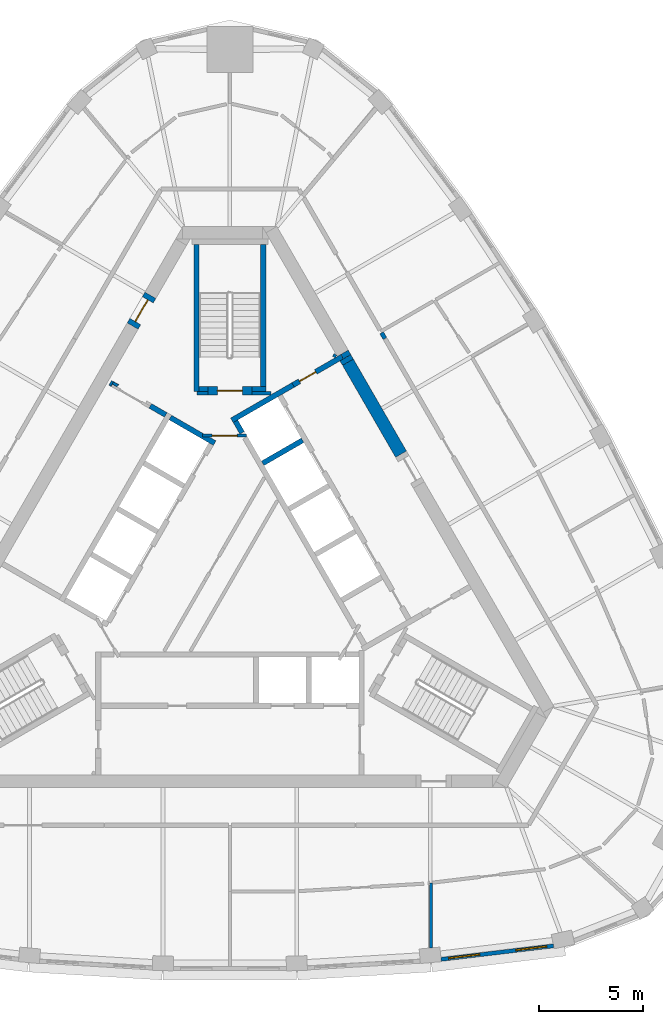
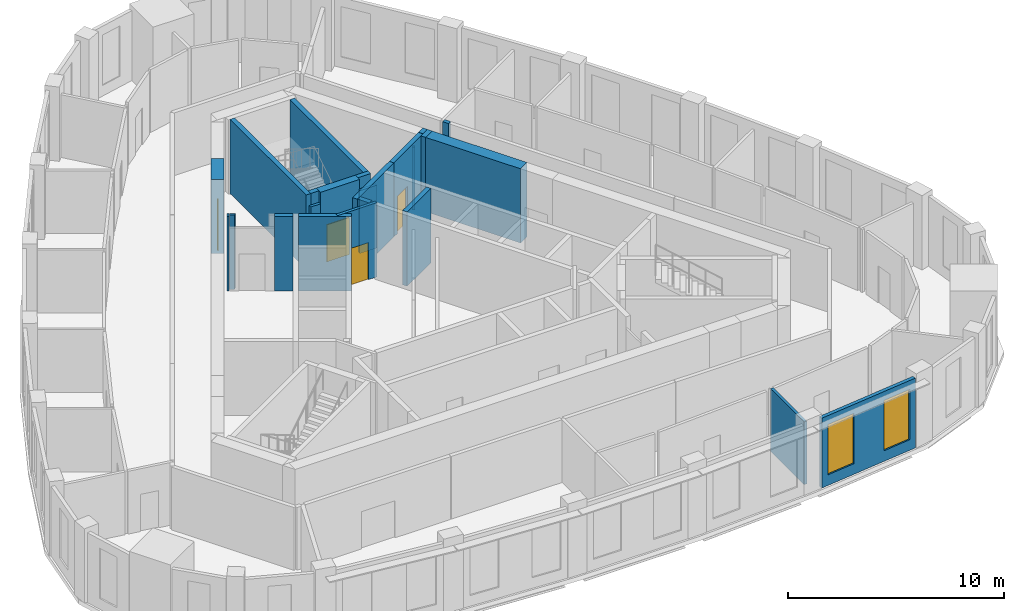
# One storey, part 6 of 10: 24 walls, 4 doors, 2 windows, 6 openings.
"""IFC4 building model written with IfcOpenShell, lengths in metres."""

from ifc_helpers import new_model, si_unit, direction, frame, frame_2d, origin, place, context, subcontext, project, spatial, polyline, rectangle, outline, extrude, material, layer, layer_set, type_object, element, fill, save


model = new_model("IFC4")

# Units and contexts
model_context = context("Model", 3, precision=1e-05, world=origin(), true_north=direction((0.0, 1.0)))
body_context = subcontext(model_context, "Body", "Model", "MODEL_VIEW")
ifc_project = project(units=[si_unit("LENGTHUNIT", "METRE"), si_unit("AREAUNIT", "SQUARE_METRE"), si_unit("VOLUMEUNIT", "CUBIC_METRE"), si_unit("PLANEANGLEUNIT", "RADIAN"), si_unit("MASSUNIT", "GRAM", prefix="KILO")], contexts=[model_context])

# Site, building, storey
site_placement = place(None, origin())
site = spatial("IfcSite", under=ifc_project, at=site_placement, CompositionType="ELEMENT")
building_placement = place(site_placement, origin())
building = spatial("IfcBuilding", under=site, at=building_placement, Name="Mestral Congress Tower", CompositionType="ELEMENT")
storey_placement = place(building_placement, frame((0.0, 0.0, 296.39990234375)))
storey = spatial("IfcBuildingStorey", under=building, at=storey_placement, Name="L69", CompositionType="ELEMENT", Elevation=296.39990234375)

# Walls
ifc_material_1 = material(Name="Fire-rated board partition")
ifc_layer_1 = layer(ifc_material_1, 0.14990234375)
ifc_layer_set_1 = layer_set([ifc_layer_1], Name="Fire-rated board partition")
wall_type_1 = type_object("IfcWallType", Name="Core partition 150", PredefinedType="PARTITIONING", material=ifc_layer_set_1)
wall_1_placement = place(storey_placement, frame((1.050048828125, 8.62548828125, 0.0), z_axis=(0.0, 0.0, 1.0), x_axis=(1.0, 0.0, 0.0)))
element("IfcWall", 1, at=wall_1_placement, inside=storey, type_object=wall_type_1, Name="L69 core wall", PredefinedType="PARTITIONING", context=body_context, shape_type="SweptSolid", body=[
    extrude(rectangle(XDim=0.9287109375, YDim=0.14990234375, at=frame_2d((0.46435546875, 0.0))), origin(), (0.0, 0.0, 1.0), 3.550048828125),
])
wall_2_placement = place(storey_placement, frame((-1.56396484375, 8.62548828125, 0.0), z_axis=(0.0, 0.0, 1.0), x_axis=(1.0, 0.0, 0.0)))
element("IfcWall", 2, at=wall_2_placement, inside=storey, type_object=wall_type_1, Name="L69 core wall", PredefinedType="PARTITIONING", context=body_context, shape_type="SweptSolid", body=[
    extrude(rectangle(XDim=0.513916015625, YDim=0.14990234375, at=frame_2d((0.2568359375, 0.0))), origin(), (0.0, 0.0, 1.0), 3.550048828125),
])
wall_3_placement = place(storey_placement, frame((4.97998046875, 10.35791015625, 0.0), z_axis=(0.0, 0.0, 1.0), x_axis=(0.500640202437, 0.86565546709, 0.0)))
element("IfcWall", 3, at=wall_3_placement, inside=storey, type_object=wall_type_1, Name="L69 core wall", PredefinedType="PARTITIONING", context=body_context, shape_type="SweptSolid", body=[
    extrude(rectangle(XDim=0.145751953125, YDim=0.14990234375, at=frame_2d((0.07275390625, 0.0))), origin(), (0.0, 0.0, 1.0), 3.550048828125),
])
ifc_material_2 = material(Name="Concrete C60/75", Category="concrete")
ifc_layer_2 = layer(ifc_material_2, 0.60009765625)
ifc_layer_set_2 = layer_set([ifc_layer_2], Name="Concrete C60/75")
wall_type_2 = type_object("IfcWallType", Name="Core wall RC 600", PredefinedType="SOLIDWALL", material=ifc_layer_set_2)
wall_4_placement = place(storey_placement, frame((5.52880859375, 10.32421875, 0.0), z_axis=(0.0, 0.0, 1.0), x_axis=(0.499122205112, -0.866531606097, 0.0)))
element("IfcWall", 4, at=wall_4_placement, inside=storey, type_object=wall_type_2, Name="L69 core wall", PredefinedType="SOLIDWALL", context=body_context, shape_type="SweptSolid", body=[
    extrude(rectangle(XDim=0.24658203125, YDim=0.60009765625, at=frame_2d((0.123291015625, 0.0))), origin(), (0.0, 0.0, 1.0), 4.2001953125),
])
placement = place(storey_placement, origin())
element("IfcWall", 5, at=placement, inside=storey, type_object=wall_type_2, Name="L69 core wall", PredefinedType="SOLIDWALL", context=body_context, shape_type="SweptSolid", body=[
    extrude(outline(polyline([(5.66357421875, 10.690673828125), (5.78759765625, 10.475830078125), (5.432373046875, 10.270751953125), (5.308349609375, 10.485595703125), (5.66357421875, 10.690673828125)])), origin(), (0.0, 0.0, 1.0), 4.2001953125),
])
wall_6_placement = place(storey_placement, frame((8.19189453125, 5.711181640625, 0.0), z_axis=(0.0, 0.0, 1.0), x_axis=(-0.500006836656, 0.866021456604, 0.0)))
element("IfcWall", 6, at=wall_6_placement, inside=storey, type_object=wall_type_2, Name="L69 core wall", PredefinedType="SOLIDWALL", context=body_context, shape_type="SweptSolid", body=[
    extrude(rectangle(XDim=5.078125, YDim=0.60009765625, at=frame_2d((2.5390625, 0.0))), origin(), (0.0, 0.0, 1.0), 4.2001953125),
])

# Wall, opening, door
wall_7_placement = place(storey_placement, frame((-4.65234375, 11.842041015625, 0.0), z_axis=(0.0, 0.0, 1.0), x_axis=(0.500062241894, 0.865989465428, 0.0)))
wall_7 = element("IfcWall", 7, at=wall_7_placement, inside=storey, type_object=wall_type_2, Name="L69 door wall", PredefinedType="SOLIDWALL", context=body_context, shape_type="SweptSolid", body=[
    extrude(rectangle(XDim=1.699951171875, YDim=0.60009765625, at=frame_2d((0.85009765625, 0.0))), origin(), (0.0, 0.0, 1.0), 4.2001953125),
])
opening_1_placement = place(wall_7_placement, frame((0.25, 0.0, 0.0)))
opening_1 = element("IfcOpeningElement", 8, at=opening_1_placement, cuts=wall_7, Name="Opening XD2", PredefinedType="OPENING", context=body_context, shape_type="SweptSolid", body=[
    extrude(rectangle(XDim=1.199951171875, YDim=2.10009765625, at=frame_2d((0.60009765625, 1.050048828125))), frame((0.0, 0.31005859375, 0.0), z_axis=(0.0, -1.0, 0.0), x_axis=(1.0, 0.0, 0.0)), (0.0, 0.0, 1.0), 0.6201171875),
])
ifc_material_3 = material(Name="Fire-rated steel door set", Category="steel")
door_type_1 = type_object("IfcDoorType", Name="Core door XD 1200x2100", OperationType="SINGLE_SWING_LEFT", PredefinedType="DOOR", material=ifc_material_3)
door_1_placement = place(opening_1_placement, origin())
door_1 = element("IfcDoor", 9, at=door_1_placement, inside=storey, type_object=door_type_1, Name="Door XD2", OperationType="SINGLE_SWING_LEFT", OverallHeight=2.10009765625, OverallWidth=1.199951171875, PredefinedType="DOOR", context=body_context, shape_type="SweptSolid", body=[
    extrude(rectangle(XDim=1.199951171875, YDim=2.10009765625, at=frame_2d((0.60009765625, 1.050048828125))), frame((0.0, 0.02490234375, 0.0), z_axis=(0.0, -1.0, 0.0), x_axis=(1.0, 0.0, 0.0)), (0.0, 0.0, 1.0), 0.050048828125),
])
fill(opening_1, door_1)

# Wall, openings, windows
ifc_material_4 = material(Name="Precast concrete C40/50 with limestone facing", Category="masonry")
ifc_layer_3 = layer(ifc_material_4, 0.18994140625)
ifc_layer_set_3 = layer_set([ifc_layer_3], Name="Precast concrete C40/50 with limestone facing")
wall_type_3 = type_object("IfcWallType", Name="Facade stone wall 190", PredefinedType="SOLIDWALL", material=ifc_layer_set_3)
wall_8_placement = place(storey_placement, frame((10.110595703125, -18.4677734375, 0.0), z_axis=(0.0, 0.0, 1.0), x_axis=(0.992885582795, 0.119072328769, 0.0)))
wall_8 = element("IfcWall", 10, at=wall_8_placement, inside=storey, type_object=wall_type_3, Name="Facade wall F0-04", PredefinedType="SOLIDWALL", context=body_context, shape_type="SweptSolid", body=[
    extrude(rectangle(XDim=5.4150390625, YDim=0.18994140625, at=frame_2d((2.70751953125, 0.0))), origin(), (0.0, 0.0, 1.0), 3.9501953125),
])
opening_2_placement = place(wall_8_placement, frame((0.357421875, 0.0, 0.60009765625)))
opening_2 = element("IfcOpeningElement", 11, at=opening_2_placement, cuts=wall_8, Name="Opening W6", PredefinedType="OPENING", context=body_context, shape_type="SweptSolid", body=[
    extrude(rectangle(XDim=1.5, YDim=2.85009765625, at=frame_2d((0.75, 1.425048828125))), frame((0.0, 0.10498046875, 0.0), z_axis=(0.0, -1.0, 0.0), x_axis=(1.0, 0.0, 0.0)), (0.0, 0.0, 1.0), 0.2099609375),
])
opening_3_placement = place(wall_8_placement, frame((3.592529296875, 0.0, 0.60009765625)))
opening_3 = element("IfcOpeningElement", 12, at=opening_3_placement, cuts=wall_8, Name="Opening W6", PredefinedType="OPENING", context=body_context, shape_type="SweptSolid", body=[
    extrude(rectangle(XDim=1.5, YDim=2.85009765625, at=frame_2d((0.75, 1.425048828125))), frame((0.0, 0.10498046875, 0.0), z_axis=(0.0, -1.0, 0.0), x_axis=(1.0, 0.0, 0.0)), (0.0, 0.0, 1.0), 0.2099609375),
])
ifc_material_5 = material(Name="Clear low-emissivity double glazing", Category="glass")
window_type = type_object("IfcWindowType", Name="Facade punched window 1500 x 2850 sill 600", PartitioningType="SINGLE_PANEL", PredefinedType="WINDOW", material=ifc_material_5)
window_1_placement = place(opening_2_placement, origin())
window_1 = element("IfcWindow", 13, at=window_1_placement, inside=storey, type_object=window_type, Name="Window F0-04a", OverallHeight=2.85009765625, OverallWidth=1.5, PartitioningType="SINGLE_PANEL", PredefinedType="WINDOW", context=body_context, shape_type="SweptSolid", body=[
    extrude(rectangle(XDim=1.5, YDim=2.85009765625, at=frame_2d((0.75, 1.425048828125))), frame((0.0, 0.044921875, 0.0), z_axis=(0.0, -1.0, 0.0), x_axis=(1.0, 0.0, 0.0)), (0.0, 0.0, 1.0), 0.06005859375),
])
fill(opening_2, window_1)
window_2_placement = place(opening_3_placement, origin())
window_2 = element("IfcWindow", 14, at=window_2_placement, inside=storey, type_object=window_type, Name="Window F0-04b", OverallHeight=2.85009765625, OverallWidth=1.5, PartitioningType="SINGLE_PANEL", PredefinedType="WINDOW", context=body_context, shape_type="SweptSolid", body=[
    extrude(rectangle(XDim=1.5, YDim=2.85009765625, at=frame_2d((0.75, 1.425048828125))), frame((0.0, 0.044921875, 0.0), z_axis=(0.0, -1.0, 0.0), x_axis=(1.0, 0.0, 0.0)), (0.0, 0.0, 1.0), 0.06005859375),
])
fill(opening_3, window_2)

# Walls
ifc_material_6 = material(Name="Plasterboard partition on steel studs", Category="steel")
ifc_layer_4 = layer(ifc_material_6, 0.14990234375)
ifc_layer_set_4 = layer_set([ifc_layer_4], Name="Plasterboard partition on steel studs")
wall_type_4 = type_object("IfcWallType", Name="Office partition 150", PredefinedType="PARTITIONING", material=ifc_layer_set_4)
wall_9_placement = place(storey_placement, frame((9.62744140625, -14.80419921875, 0.0), z_axis=(0.0, 0.0, 1.0), x_axis=(0.0, -1.0, 0.0)))
element("IfcWall", 15, at=wall_9_placement, inside=storey, type_object=wall_type_4, Name="Partition", PredefinedType="PARTITIONING", context=body_context, shape_type="SweptSolid", body=[
    extrude(rectangle(XDim=3.114501953125, YDim=0.14990234375, at=frame_2d((1.55712890625, 0.0))), origin(), (0.0, 0.0, 1.0), 3.550048828125),
])
ifc_material_7 = material(Name="Dense masonry wall, plastered", Category="masonry")
ifc_layer_5 = layer(ifc_material_7, 0.199951171875)
ifc_layer_set_5 = layer_set([ifc_layer_5], Name="Dense masonry wall, plastered")
wall_type_5 = type_object("IfcWallType", Name="Office tenancy wall 200", PredefinedType="PARTITIONING", material=ifc_layer_set_5)
wall_10_placement = place(storey_placement, frame((7.420654296875, 11.2470703125, 0.0), z_axis=(0.0, 0.0, 1.0), x_axis=(-0.500303403544, 0.865850162789, 0.0)))
element("IfcWall", 16, at=wall_10_placement, inside=storey, type_object=wall_type_5, Name="Tenancy wall", PredefinedType="PARTITIONING", context=body_context, shape_type="SweptSolid", body=[
    extrude(rectangle(XDim=0.315185546875, YDim=0.199951171875, at=frame_2d((0.15771484375, 0.0))), origin(), (0.0, 0.0, 1.0), 3.550048828125),
])
ifc_layer_6 = layer(ifc_material_2, 0.25)
ifc_layer_set_6 = layer_set([ifc_layer_6], Name="Concrete C60/75")
wall_type_6 = type_object("IfcWallType", Name="Shaft wall RC 250", PredefinedType="SOLIDWALL", material=ifc_layer_set_6)
wall_11_placement = place(storey_placement, frame((3.02783203125, 9.022705078125, 0.0), z_axis=(0.0, 0.0, 1.0), x_axis=(-0.866036587186, -0.49998062928, 0.0)))
element("IfcWall", 17, at=wall_11_placement, inside=storey, type_object=wall_type_6, Name="L69 core wall", PredefinedType="SOLIDWALL", context=body_context, shape_type="SweptSolid", body=[
    extrude(rectangle(XDim=3.383544921875, YDim=0.25, at=frame_2d((1.69189453125, 0.0))), origin(), (0.0, 0.0, 1.0), 4.2001953125),
])
wall_12_placement = place(storey_placement, frame((0.268310546875, 7.28515625, 0.0), z_axis=(0.0, 0.0, 1.0), x_axis=(0.500098681536, -0.865968422476, 0.0)))
element("IfcWall", 18, at=wall_12_placement, inside=storey, type_object=wall_type_6, Name="L69 core wall", PredefinedType="SOLIDWALL", context=body_context, shape_type="SweptSolid", body=[
    extrude(rectangle(XDim=0.636474609375, YDim=0.25, at=frame_2d((0.318359375, 0.0))), origin(), (0.0, 0.0, 1.0), 4.2001953125),
])
wall_13_placement = place(storey_placement, frame((1.57421875, 5.273681640625, 0.0), z_axis=(0.0, 0.0, 1.0), x_axis=(0.866028486751, 0.499994660107, 0.0)))
element("IfcWall", 19, at=wall_13_placement, inside=storey, type_object=wall_type_6, Name="L69 core wall", PredefinedType="SOLIDWALL", context=body_context, shape_type="SweptSolid", body=[
    extrude(rectangle(XDim=2.19970703125, YDim=0.25, at=frame_2d((1.099853515625, 0.0))), origin(), (0.0, 0.0, 1.0), 4.2001953125),
])
element("IfcWall", 20, at=placement, inside=storey, type_object=wall_type_6, Name="L69 core wall", PredefinedType="SOLIDWALL", context=body_context, shape_type="SweptSolid", body=[
    extrude(outline(polyline([(-2.911865234375, 7.3564453125), (-2.786865234375, 7.572998046875), (-1.231689453125, 6.675048828125), (-1.303466796875, 6.675048828125), (-1.3037109375, 6.675048828125), (-1.3037109375, 6.675048828125), (-1.3037109375, 6.52490234375), (-1.3037109375, 6.52490234375), (-1.303466796875, 6.52490234375), (-0.971435546875, 6.52490234375), (-0.6650390625, 6.347900390625), (-0.7900390625, 6.131591796875), (-1.006591796875, 6.256591796875), (-1.006591796875, 6.256591796875), (-2.911865234375, 7.3564453125)])), origin(), (0.0, 0.0, 1.0), 4.2001953125),
])
wall_15_placement = place(storey_placement, frame((-5.724609375, 9.124755859375, 0.0), z_axis=(0.0, 0.0, 1.0), x_axis=(0.866185586049, -0.49972245349, 0.0)))
element("IfcWall", 21, at=wall_15_placement, inside=storey, type_object=wall_type_6, Name="L69 core wall", PredefinedType="SOLIDWALL", context=body_context, shape_type="SweptSolid", body=[
    extrude(rectangle(XDim=0.10986328125, YDim=0.25, at=frame_2d((0.054931640625, 0.0))), origin(), (0.0, 0.0, 1.0), 4.2001953125),
])
wall_16_placement = place(storey_placement, frame((-3.06591796875, 7.58984375, 0.0), z_axis=(0.0, 0.0, 1.0), x_axis=(-0.866081358704, 0.49990307071, 0.0)))
element("IfcWall", 22, at=wall_16_placement, inside=storey, type_object=wall_type_6, Name="L69 core wall", PredefinedType="SOLIDWALL", context=body_context, shape_type="SweptSolid", body=[
    extrude(rectangle(XDim=0.858154296875, YDim=0.25, at=frame_2d((0.42919921875, 0.0))), origin(), (0.0, 0.0, 1.0), 4.2001953125),
])
element("IfcWall", 23, at=placement, inside=storey, type_object=wall_type_6, Name="L69 core wall", PredefinedType="SOLIDWALL", context=body_context, shape_type="SweptSolid", body=[
    extrude(outline(polyline([(-5.688720703125, 8.959716796875), (-5.690185546875, 8.960693359375), (-5.565185546875, 9.177001953125), (-5.318603515625, 9.03466796875), (-5.334716796875, 9.02587890625), (-5.3505859375, 9.0146484375), (-5.36572265625, 9.001953125), (-5.37939453125, 8.98779296875), (-5.3916015625, 8.972412109375), (-5.402099609375, 8.955810546875), (-5.412109375, 8.938720703125), (-5.628662109375, 9.063720703125), (-5.628662109375, 9.063720703125), (-5.688720703125, 8.959716796875)])), origin(), (0.0, 0.0, 1.0), 4.2001953125),
])

# Wall, opening, door
wall_18_placement = place(storey_placement, frame((5.3662109375, 10.372802734375, 0.0), z_axis=(0.0, 0.0, 1.0), x_axis=(-0.866019956843, -0.50000943426, 0.0)))
wall_18 = element("IfcWall", 24, at=wall_18_placement, inside=storey, type_object=wall_type_6, Name="L69 door wall", PredefinedType="SOLIDWALL", context=body_context, shape_type="SweptSolid", body=[
    extrude(rectangle(XDim=2.7001953125, YDim=0.25, at=frame_2d((1.35009765625, 0.0))), origin(), (0.0, 0.0, 1.0), 4.2001953125),
])
opening_4_placement = place(wall_18_placement, frame((1.449951171875, 0.0, 0.0)))
opening_4 = element("IfcOpeningElement", 25, at=opening_4_placement, cuts=wall_18, Name="Opening TD2", PredefinedType="OPENING", context=body_context, shape_type="SweptSolid", body=[
    extrude(rectangle(XDim=0.89990234375, YDim=2.10009765625, at=frame_2d((0.449951171875, 1.050048828125))), frame((0.0, 0.135009765625, 0.0), z_axis=(0.0, -1.0, 0.0), x_axis=(1.0, 0.0, 0.0)), (0.0, 0.0, 1.0), 0.27001953125),
])
door_type_2 = type_object("IfcDoorType", Name="Core door SR 900x2100", OperationType="SINGLE_SWING_LEFT", PredefinedType="DOOR", material=ifc_material_3)
door_2_placement = place(opening_4_placement, origin())
door_2 = element("IfcDoor", 26, at=door_2_placement, inside=storey, type_object=door_type_2, Name="Door TD2", OperationType="SINGLE_SWING_LEFT", OverallHeight=2.10009765625, OverallWidth=0.89990234375, PredefinedType="DOOR", context=body_context, shape_type="SweptSolid", body=[
    extrude(rectangle(XDim=0.89990234375, YDim=2.10009765625, at=frame_2d((0.449951171875, 1.050048828125))), frame((0.0, 0.02490234375, 0.0), z_axis=(0.0, -1.0, 0.0), x_axis=(1.0, 0.0, 0.0)), (0.0, 0.0, 1.0), 0.050048828125),
])
fill(opening_4, door_2)

ifc_layer_7 = layer(ifc_material_2, 0.14990234375)
ifc_layer_set_7 = layer_set([ifc_layer_7], Name="Concrete C60/75")
wall_type_7 = type_object("IfcWallType", Name="Shaft wall RC 250 door-wall 150", PredefinedType="SOLIDWALL", material=ifc_layer_set_7)
wall_19_placement = place(storey_placement, frame((-1.303466796875, 6.60009765625, 0.0), z_axis=(0.0, 0.0, 1.0), x_axis=(1.0, 0.0, 0.0)))
wall_19 = element("IfcWall", 27, at=wall_19_placement, inside=storey, type_object=wall_type_7, Name="L69 door wall", PredefinedType="PARTITIONING", context=body_context, shape_type="SweptSolid", body=[
    extrude(rectangle(XDim=2.099853515625, YDim=0.14990234375, at=frame_2d((1.0498046875, 0.0))), origin(), (0.0, 0.0, 1.0), 4.2001953125),
])
opening_5_placement = place(wall_19_placement, frame((0.449951171875, 0.0, 0.0)))
opening_5 = element("IfcOpeningElement", 28, at=opening_5_placement, cuts=wall_19, Name="Opening CD2-FF", PredefinedType="OPENING", context=body_context, shape_type="SweptSolid", body=[
    extrude(rectangle(XDim=1.199951171875, YDim=2.10009765625, at=frame_2d((0.60009765625, 1.050048828125))), frame((0.0, 0.0849609375, 0.0), z_axis=(0.0, -1.0, 0.0), x_axis=(1.0, 0.0, 0.0)), (0.0, 0.0, 1.0), 0.169921875),
])
door_type_3 = type_object("IfcDoorType", Name="Core door CD 1200x2100", OperationType="SINGLE_SWING_LEFT", PredefinedType="DOOR", material=ifc_material_3)
door_3_placement = place(opening_5_placement, origin())
door_3 = element("IfcDoor", 29, at=door_3_placement, inside=storey, type_object=door_type_3, Name="Door CD2-FF", OperationType="SINGLE_SWING_LEFT", OverallHeight=2.10009765625, OverallWidth=1.199951171875, PredefinedType="DOOR", context=body_context, shape_type="SweptSolid", body=[
    extrude(rectangle(XDim=1.199951171875, YDim=2.10009765625, at=frame_2d((0.60009765625, 1.050048828125))), frame((0.0, 0.02490234375, 0.0), z_axis=(0.0, -1.0, 0.0), x_axis=(1.0, 0.0, 0.0)), (0.0, 0.0, 1.0), 0.050048828125),
])
fill(opening_5, door_3)

# Walls
ifc_layer_8 = layer(ifc_material_2, 0.25)
ifc_layer_set_8 = layer_set([ifc_layer_8], Name="Concrete C60/75")
wall_type_8 = type_object("IfcWallType", Name="Stair wall RC 250", PredefinedType="SOLIDWALL", material=ifc_layer_set_8)
wall_20_placement = place(storey_placement, frame((1.60009765625, 8.949951171875, 0.0), z_axis=(0.0, 0.0, 1.0), x_axis=(0.0, 1.0, 0.0)))
element("IfcWall", 30, at=wall_20_placement, inside=storey, type_object=wall_type_8, Name="L69 core wall", PredefinedType="SOLIDWALL", context=body_context, shape_type="SweptSolid", body=[
    extrude(rectangle(XDim=6.800048828125, YDim=0.25, at=frame_2d((3.39990234375, 0.0))), origin(), (0.0, 0.0, 1.0), 4.2001953125),
])
wall_21_placement = place(storey_placement, frame((1.050048828125, 8.824951171875, 0.0), z_axis=(0.0, 0.0, 1.0), x_axis=(1.0, 0.0, 0.0)))
element("IfcWall", 31, at=wall_21_placement, inside=storey, type_object=wall_type_8, Name="L69 core wall", PredefinedType="SOLIDWALL", context=body_context, shape_type="SweptSolid", body=[
    extrude(rectangle(XDim=0.675048828125, YDim=0.25, at=frame_2d((0.33740234375, 0.0))), origin(), (0.0, 0.0, 1.0), 4.2001953125),
])
wall_22_placement = place(storey_placement, frame((-1.60009765625, 8.699951171875, 0.0), z_axis=(0.0, 0.0, 1.0), x_axis=(0.0, 1.0, 0.0)))
element("IfcWall", 32, at=wall_22_placement, inside=storey, type_object=wall_type_8, Name="L69 core wall", PredefinedType="SOLIDWALL", context=body_context, shape_type="SweptSolid", body=[
    extrude(rectangle(XDim=7.050048828125, YDim=0.25, at=frame_2d((3.52490234375, 0.0))), origin(), (0.0, 0.0, 1.0), 4.2001953125),
])
wall_23_placement = place(storey_placement, frame((-1.47509765625, 8.824951171875, 0.0), z_axis=(0.0, 0.0, 1.0), x_axis=(1.0, 0.0, 0.0)))
element("IfcWall", 33, at=wall_23_placement, inside=storey, type_object=wall_type_8, Name="L69 core wall", PredefinedType="SOLIDWALL", context=body_context, shape_type="SweptSolid", body=[
    extrude(rectangle(XDim=0.425048828125, YDim=0.25, at=frame_2d((0.21240234375, 0.0))), origin(), (0.0, 0.0, 1.0), 4.2001953125),
])

# Wall, opening, door
ifc_layer_9 = layer(ifc_material_2, 0.39990234375)
ifc_layer_set_9 = layer_set([ifc_layer_9], Name="Concrete C60/75")
wall_type_9 = type_object("IfcWallType", Name="Stair wall RC 250 door-wall 400", PredefinedType="SOLIDWALL", material=ifc_layer_set_9)
wall_24_placement = place(storey_placement, frame((1.050048828125, 8.75, 0.0), z_axis=(0.0, 0.0, 1.0), x_axis=(-1.0, 0.0, 0.0)))
wall_24 = element("IfcWall", 34, at=wall_24_placement, inside=storey, type_object=wall_type_9, Name="L69 door wall", PredefinedType="SOLIDWALL", context=body_context, shape_type="SweptSolid", body=[
    extrude(rectangle(XDim=2.10009765625, YDim=0.39990234375, at=frame_2d((1.050048828125, 0.0))), origin(), (0.0, 0.0, 1.0), 4.2001953125),
])
opening_6_placement = place(wall_24_placement, frame((0.449951171875, 0.0, 0.0)))
opening_6 = element("IfcOpeningElement", 35, at=opening_6_placement, cuts=wall_24, Name="Opening ST-D2", PredefinedType="OPENING", context=body_context, shape_type="SweptSolid", body=[
    extrude(rectangle(XDim=1.199951171875, YDim=2.10009765625, at=frame_2d((0.60009765625, 1.050048828125))), frame((0.0, 0.2099609375, 0.0), z_axis=(0.0, -1.0, 0.0), x_axis=(1.0, 0.0, 0.0)), (0.0, 0.0, 1.0), 0.419921875),
])
door_type_4 = type_object("IfcDoorType", Name="Core door ST 1200x2100", OperationType="SINGLE_SWING_LEFT", PredefinedType="DOOR", material=ifc_material_3)
door_4_placement = place(opening_6_placement, origin())
door_4 = element("IfcDoor", 36, at=door_4_placement, inside=storey, type_object=door_type_4, Name="Door ST-D2", OperationType="SINGLE_SWING_LEFT", OverallHeight=2.10009765625, OverallWidth=1.199951171875, PredefinedType="DOOR", context=body_context, shape_type="SweptSolid", body=[
    extrude(rectangle(XDim=1.199951171875, YDim=2.10009765625, at=frame_2d((0.60009765625, 1.050048828125))), frame((0.0, 0.02490234375, 0.0), z_axis=(0.0, -1.0, 0.0), x_axis=(1.0, 0.0, 0.0)), (0.0, 0.0, 1.0), 0.050048828125),
])
fill(opening_6, door_4)

save(model, "model.ifc")
